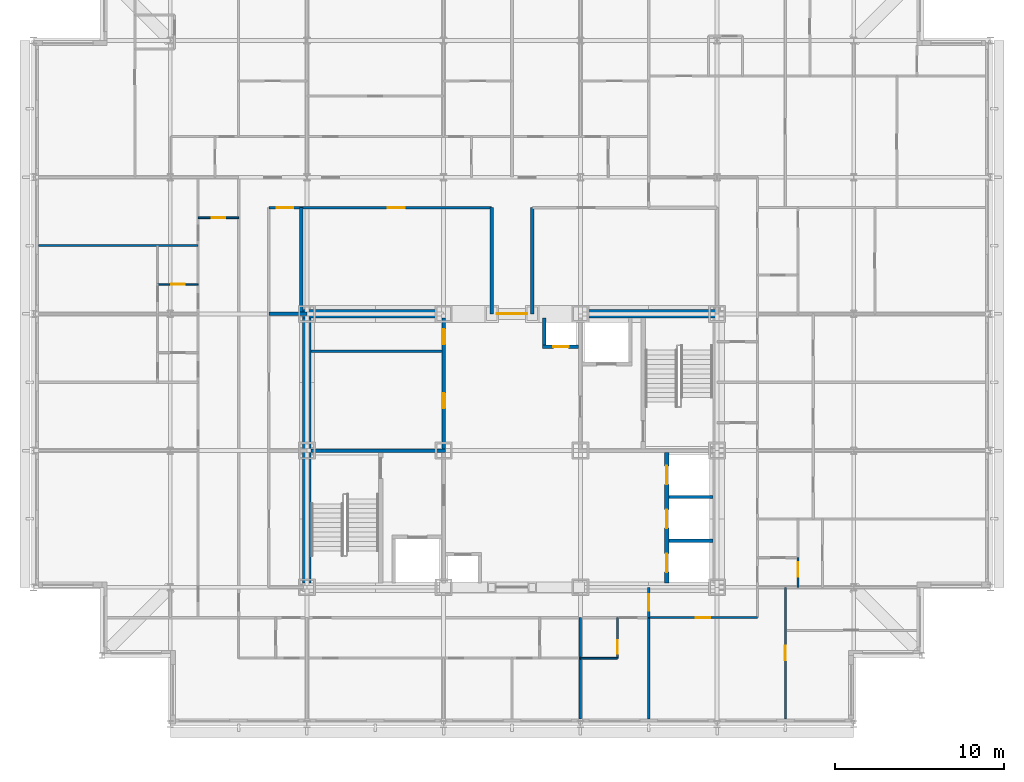
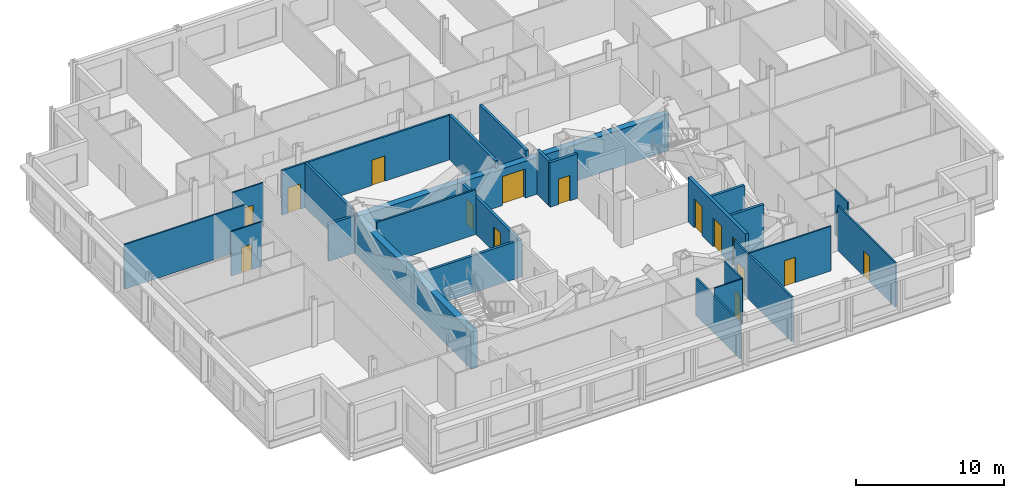
# One storey, part 9 of 15: 26 walls, 16 doors, 16 openings.
"""IFC4 building model written with IfcOpenShell, lengths in metres."""

from ifc_helpers import new_model, si_unit, direction, frame, frame_2d, origin, place, context, subcontext, project, spatial, rectangle, extrude, material, layer, layer_set, type_object, element, fill, save


model = new_model("IFC4")

# Units and contexts
model_context = context("Model", 3, precision=1e-05, world=origin(), true_north=direction((0.0, 1.0)))
body_context = subcontext(model_context, "Body", "Model", "MODEL_VIEW")
ifc_project = project(units=[si_unit("LENGTHUNIT", "METRE"), si_unit("AREAUNIT", "SQUARE_METRE"), si_unit("VOLUMEUNIT", "CUBIC_METRE"), si_unit("PLANEANGLEUNIT", "RADIAN"), si_unit("MASSUNIT", "GRAM", prefix="KILO")], contexts=[model_context])

# Site, building, storey
site_placement = place(None, origin())
site = spatial("IfcSite", under=ifc_project, at=site_placement, CompositionType="ELEMENT")
building_placement = place(site_placement, origin())
building = spatial("IfcBuilding", under=site, at=building_placement, Name="Kopane Lantern Tower", CompositionType="ELEMENT")
storey_placement = place(building_placement, frame((0.0, 0.0, 289.199951171875)))
storey = spatial("IfcBuildingStorey", under=building, at=storey_placement, Name="L74", CompositionType="ELEMENT", Elevation=289.199951171875)

# Wall
ifc_material_1 = material(Name="Gypsum board on steel studs", Category="steel")
ifc_layer_1 = layer(ifc_material_1, 0.1201171875)
ifc_layer_set_1 = layer_set([ifc_layer_1], Name="APARTMENT INTERNAL WALL 120")
wall_type_1 = type_object("IfcWallType", Name="APARTMENT INTERNAL WALL 120", PredefinedType="PARTITIONING", material=ifc_layer_set_1)
wall_1_placement = place(storey_placement, frame((9.75, 44.550048828125, 0.0), z_axis=(0.0, 0.0, 1.0), x_axis=(-1.0, 0.0, 0.0)))
element("IfcWall", 1, at=wall_1_placement, inside=storey, type_object=wall_type_1, Name="Apartment Internal Wall 120 L74", PredefinedType="PARTITIONING", context=body_context, shape_type="SweptSolid", body=[
    extrude(rectangle(XDim=9.449951171875, YDim=0.1201171875, at=frame_2d((4.72509765625, 0.0))), origin(), (0.0, 0.0, 1.0), 3.68994140625),
])

# Wall, opening, door
wall_2_placement = place(storey_placement, frame((36.449951171875, 22.5, 0.0), z_axis=(0.0, 0.0, 1.0), x_axis=(1.0, 0.0, 0.0)))
wall_2 = element("IfcWall", 2, at=wall_2_placement, inside=storey, type_object=wall_type_1, Name="Apartment Internal Wall 120 L74", PredefinedType="PARTITIONING", context=body_context, shape_type="SweptSolid", body=[
    extrude(rectangle(XDim=6.449951171875, YDim=0.1201171875, at=frame_2d((3.22509765625, 0.0))), origin(), (0.0, 0.0, 1.0), 3.68994140625),
])
opening_1_placement = place(wall_2_placement, frame((2.800048828125, 0.0, 0.0)))
opening_1 = element("IfcOpeningElement", 3, at=opening_1_placement, cuts=wall_2, Name="Opening L74-039", PredefinedType="OPENING", context=body_context, shape_type="SweptSolid", body=[
    extrude(rectangle(XDim=0.85009765625, YDim=2.10009765625, at=frame_2d((0.425048828125, 1.050048828125))), frame((0.0, 0.070068359375, 0.0), z_axis=(0.0, -1.0, 0.0), x_axis=(1.0, 0.0, 0.0)), (0.0, 0.0, 1.0), 0.14013671875),
])
ifc_material_2 = material(Name="Timber door set", Category="wood")
door_type_1 = type_object("IfcDoorType", Name="DOOR D4 850x2100", OperationType="SINGLE_SWING_LEFT", PredefinedType="DOOR", material=ifc_material_2)
door_1_placement = place(opening_1_placement, origin())
door_1 = element("IfcDoor", 4, at=door_1_placement, inside=storey, type_object=door_type_1, Name="Door L74-039", OperationType="SINGLE_SWING_RIGHT", OverallHeight=2.10009765625, OverallWidth=0.85009765625, PredefinedType="DOOR", context=body_context, shape_type="SweptSolid", body=[
    extrude(rectangle(XDim=0.85009765625, YDim=2.10009765625, at=frame_2d((0.425048828125, 1.050048828125))), frame((0.0, 0.02490234375, 0.0), z_axis=(0.0, -1.0, 0.0), x_axis=(1.0, 0.0, 0.0)), (0.0, 0.0, 1.0), 0.050048828125),
])
fill(opening_1, door_1)

wall_3_placement = place(storey_placement, frame((44.550048828125, 16.5, 0.0), z_axis=(0.0, 0.0, 1.0), x_axis=(0.0, 1.0, 0.0)))
wall_3 = element("IfcWall", 5, at=wall_3_placement, inside=storey, type_object=wall_type_1, Name="Apartment Internal Wall 120 L74", PredefinedType="PARTITIONING", context=body_context, shape_type="SweptSolid", body=[
    extrude(rectangle(XDim=7.800048828125, YDim=0.1201171875, at=frame_2d((3.89990234375, 0.0))), origin(), (0.0, 0.0, 1.0), 3.68994140625),
])
opening_2_placement = place(wall_3_placement, frame((3.47509765625, 0.0, 0.0)))
opening_2 = element("IfcOpeningElement", 6, at=opening_2_placement, cuts=wall_3, Name="Opening L74-040", PredefinedType="OPENING", context=body_context, shape_type="SweptSolid", body=[
    extrude(rectangle(XDim=0.85009765625, YDim=2.10009765625, at=frame_2d((0.425048828125, 1.050048828125))), frame((0.0, 0.070068359375, 0.0), z_axis=(0.0, -1.0, 0.0), x_axis=(1.0, 0.0, 0.0)), (0.0, 0.0, 1.0), 0.14013671875),
])
door_2_placement = place(opening_2_placement, origin())
door_2 = element("IfcDoor", 7, at=door_2_placement, inside=storey, type_object=door_type_1, Name="Door L74-040", OperationType="SINGLE_SWING_LEFT", OverallHeight=2.10009765625, OverallWidth=0.85009765625, PredefinedType="DOOR", context=body_context, shape_type="SweptSolid", body=[
    extrude(rectangle(XDim=0.85009765625, YDim=2.10009765625, at=frame_2d((0.425048828125, 1.050048828125))), frame((0.0, 0.02490234375, 0.0), z_axis=(0.0, -1.0, 0.0), x_axis=(1.0, 0.0, 0.0)), (0.0, 0.0, 1.0), 0.050048828125),
])
fill(opening_2, door_2)

wall_4_placement = place(storey_placement, frame((45.300048828125, 24.300048828125, 0.0), z_axis=(0.0, 0.0, 1.0), x_axis=(0.0, 1.0, 0.0)))
wall_4 = element("IfcWall", 8, at=wall_4_placement, inside=storey, type_object=wall_type_1, Name="Apartment Internal Wall 120 L74", PredefinedType="PARTITIONING", context=body_context, shape_type="SweptSolid", body=[
    extrude(rectangle(XDim=1.760009765625, YDim=0.1201171875, at=frame_2d((0.8798828125, 0.0))), origin(), (0.0, 0.0, 1.0), 3.68994140625),
])
opening_3_placement = place(wall_4_placement, frame((0.635009765625, 0.0, 0.0)))
opening_3 = element("IfcOpeningElement", 9, at=opening_3_placement, cuts=wall_4, Name="Opening L74-056", PredefinedType="OPENING", context=body_context, shape_type="SweptSolid", body=[
    extrude(rectangle(XDim=0.85009765625, YDim=2.10009765625, at=frame_2d((0.425048828125, 1.050048828125))), frame((0.0, 0.070068359375, 0.0), z_axis=(0.0, -1.0, 0.0), x_axis=(1.0, 0.0, 0.0)), (0.0, 0.0, 1.0), 0.14013671875),
])
door_3_placement = place(opening_3_placement, origin())
door_3 = element("IfcDoor", 10, at=door_3_placement, inside=storey, type_object=door_type_1, Name="Door L74-056", OperationType="SINGLE_SWING_RIGHT", OverallHeight=2.10009765625, OverallWidth=0.85009765625, PredefinedType="DOOR", context=body_context, shape_type="SweptSolid", body=[
    extrude(rectangle(XDim=0.85009765625, YDim=2.10009765625, at=frame_2d((0.425048828125, 1.050048828125))), frame((0.0, 0.02490234375, 0.0), z_axis=(0.0, -1.0, 0.0), x_axis=(1.0, 0.0, 0.0)), (0.0, 0.0, 1.0), 0.050048828125),
])
fill(opening_3, door_3)

# Wall
ifc_material_3 = material(Name="Moisture-resistant board on steel studs", Category="steel")
ifc_layer_2 = layer(ifc_material_3, 0.10009765625)
ifc_layer_set_2 = layer_set([ifc_layer_2], Name="BATHROOM WALL 100")
wall_type_2 = type_object("IfcWallType", Name="BATHROOM WALL 100", PredefinedType="PARTITIONING", material=ifc_layer_set_2)
wall_5_placement = place(storey_placement, frame((32.39990234375, 20.10009765625, 0.0), z_axis=(0.0, 0.0, 1.0), x_axis=(1.0, 0.0, 0.0)))
element("IfcWall", 11, at=wall_5_placement, inside=storey, type_object=wall_type_2, Name="Bathroom Wall 100 L74", PredefinedType="PARTITIONING", context=body_context, shape_type="SweptSolid", body=[
    extrude(rectangle(XDim=2.2001953125, YDim=0.10009765625, at=frame_2d((1.10009765625, 0.0))), origin(), (0.0, 0.0, 1.0), 3.68994140625),
])

# Wall, opening, door
wall_6_placement = place(storey_placement, frame((34.60009765625, 22.5, 0.0), z_axis=(0.0, 0.0, 1.0), x_axis=(0.0, -1.0, 0.0)))
wall_6 = element("IfcWall", 12, at=wall_6_placement, inside=storey, type_object=wall_type_2, Name="Bathroom Wall 100 L74", PredefinedType="PARTITIONING", context=body_context, shape_type="SweptSolid", body=[
    extrude(rectangle(XDim=2.39990234375, YDim=0.10009765625, at=frame_2d((1.199951171875, 0.0))), origin(), (0.0, 0.0, 1.0), 3.68994140625),
])
opening_4_placement = place(wall_6_placement, frame((1.35009765625, 0.0, 0.0)))
opening_4 = element("IfcOpeningElement", 13, at=opening_4_placement, cuts=wall_6, Name="Opening L74-011", PredefinedType="OPENING", context=body_context, shape_type="SweptSolid", body=[
    extrude(rectangle(XDim=0.800048828125, YDim=2.10009765625, at=frame_2d((0.39990234375, 1.050048828125))), frame((0.0, 0.06005859375, 0.0), z_axis=(0.0, -1.0, 0.0), x_axis=(1.0, 0.0, 0.0)), (0.0, 0.0, 1.0), 0.1201171875),
])
ifc_material_4 = material(Name="Timber door set", Category="wood")
door_type_2 = type_object("IfcDoorType", Name="DOOR D2 800x2100", OperationType="SINGLE_SWING_LEFT", PredefinedType="DOOR", material=ifc_material_4)
door_4_placement = place(opening_4_placement, origin())
door_4 = element("IfcDoor", 14, at=door_4_placement, inside=storey, type_object=door_type_2, Name="Door L74-011", OperationType="SINGLE_SWING_LEFT", OverallHeight=2.10009765625, OverallWidth=0.800048828125, PredefinedType="DOOR", context=body_context, shape_type="SweptSolid", body=[
    extrude(rectangle(XDim=0.800048828125, YDim=2.10009765625, at=frame_2d((0.39990234375, 1.050048828125))), frame((0.0, 0.02490234375, 0.0), z_axis=(0.0, -1.0, 0.0), x_axis=(1.0, 0.0, 0.0)), (0.0, 0.0, 1.0), 0.050048828125),
])
fill(opening_4, door_4)

wall_7_placement = place(storey_placement, frame((12.14990234375, 46.199951171875, 0.0), z_axis=(0.0, 0.0, 1.0), x_axis=(-1.0, 0.0, 0.0)))
wall_7 = element("IfcWall", 15, at=wall_7_placement, inside=storey, type_object=wall_type_2, Name="Bathroom Wall 100 L74", PredefinedType="PARTITIONING", context=body_context, shape_type="SweptSolid", body=[
    extrude(rectangle(XDim=2.39990234375, YDim=0.10009765625, at=frame_2d((1.199951171875, 0.0))), origin(), (0.0, 0.0, 1.0), 3.68994140625),
])
opening_5_placement = place(wall_7_placement, frame((0.800048828125, 0.0, 0.0)))
opening_5 = element("IfcOpeningElement", 16, at=opening_5_placement, cuts=wall_7, Name="Opening L74-021", PredefinedType="OPENING", context=body_context, shape_type="SweptSolid", body=[
    extrude(rectangle(XDim=0.800048828125, YDim=2.10009765625, at=frame_2d((0.39990234375, 1.050048828125))), frame((0.0, 0.06005859375, 0.0), z_axis=(0.0, -1.0, 0.0), x_axis=(1.0, 0.0, 0.0)), (0.0, 0.0, 1.0), 0.1201171875),
])
door_5_placement = place(opening_5_placement, origin())
door_5 = element("IfcDoor", 17, at=door_5_placement, inside=storey, type_object=door_type_2, Name="Door L74-021", OperationType="SINGLE_SWING_RIGHT", OverallHeight=2.10009765625, OverallWidth=0.800048828125, PredefinedType="DOOR", context=body_context, shape_type="SweptSolid", body=[
    extrude(rectangle(XDim=0.800048828125, YDim=2.10009765625, at=frame_2d((0.39990234375, 1.050048828125))), frame((0.0, 0.02490234375, 0.0), z_axis=(0.0, -1.0, 0.0), x_axis=(1.0, 0.0, 0.0)), (0.0, 0.0, 1.0), 0.050048828125),
])
fill(opening_5, door_5)

wall_8_placement = place(storey_placement, frame((9.75, 42.25, 0.0), z_axis=(0.0, 0.0, 1.0), x_axis=(-1.0, 0.0, 0.0)))
wall_8 = element("IfcWall", 18, at=wall_8_placement, inside=storey, type_object=wall_type_2, Name="Bathroom Wall 100 L74", PredefinedType="PARTITIONING", context=body_context, shape_type="SweptSolid", body=[
    extrude(rectangle(XDim=2.39990234375, YDim=0.10009765625, at=frame_2d((1.199951171875, 0.0))), origin(), (0.0, 0.0, 1.0), 3.68994140625),
])
opening_6_placement = place(wall_8_placement, frame((0.800048828125, 0.0, 0.0)))
opening_6 = element("IfcOpeningElement", 19, at=opening_6_placement, cuts=wall_8, Name="Opening L74-027", PredefinedType="OPENING", context=body_context, shape_type="SweptSolid", body=[
    extrude(rectangle(XDim=0.800048828125, YDim=2.10009765625, at=frame_2d((0.39990234375, 1.050048828125))), frame((0.0, 0.06005859375, 0.0), z_axis=(0.0, -1.0, 0.0), x_axis=(1.0, 0.0, 0.0)), (0.0, 0.0, 1.0), 0.1201171875),
])
door_6_placement = place(opening_6_placement, origin())
door_6 = element("IfcDoor", 20, at=door_6_placement, inside=storey, type_object=door_type_2, Name="Door L74-027", OperationType="SINGLE_SWING_RIGHT", OverallHeight=2.10009765625, OverallWidth=0.800048828125, PredefinedType="DOOR", context=body_context, shape_type="SweptSolid", body=[
    extrude(rectangle(XDim=0.800048828125, YDim=2.10009765625, at=frame_2d((0.39990234375, 1.050048828125))), frame((0.0, 0.02490234375, 0.0), z_axis=(0.0, -1.0, 0.0), x_axis=(1.0, 0.0, 0.0)), (0.0, 0.0, 1.0), 0.050048828125),
])
fill(opening_6, door_6)

ifc_material_5 = material(Name="Gypsum shaft wall EI 120", Category="gypsum")
ifc_layer_3 = layer(ifc_material_5, 0.5)
ifc_layer_set_3 = layer_set([ifc_layer_3], Name="CORE PERIMETER WALL 500 EI 120")
wall_type_3 = type_object("IfcWallType", Name="CORE PERIMETER WALL 500 EI 120", PredefinedType="SOLIDWALL", material=ifc_layer_set_3)
wall_9_placement = place(storey_placement, frame((15.949951171875, 40.5, 0.0), z_axis=(0.0, 0.0, 1.0), x_axis=(1.0, 0.0, 0.0)))
wall_9 = element("IfcWall", 21, at=wall_9_placement, inside=storey, type_object=wall_type_3, Name="Core shaft wall L74 PN", PredefinedType="SOLIDWALL", context=body_context, shape_type="SweptSolid", body=[
    extrude(rectangle(XDim=24.550048828125, YDim=0.5, at=frame_2d((12.27490234375, 0.0))), origin(), (0.0, 0.0, 1.0), 3.0400390625),
])
opening_7_placement = place(wall_9_placement, frame((11.5, 0.0, 0.0)))
opening_7 = element("IfcOpeningElement", 22, at=opening_7_placement, cuts=wall_9, Name="Opening 74.CE-N", PredefinedType="OPENING", context=body_context, shape_type="SweptSolid", body=[
    extrude(rectangle(XDim=1.800048828125, YDim=2.39990234375, at=frame_2d((0.89990234375, 1.199951171875))), frame((0.0, 0.260009765625, 0.0), z_axis=(0.0, -1.0, 0.0), x_axis=(1.0, 0.0, 0.0)), (0.0, 0.0, 1.0), 0.52001953125),
])
ifc_material_6 = material(Name="Steel door set", Category="steel")
door_type_3 = type_object("IfcDoorType", Name="CORE ENTRY DOOR 1800x2400 FD60S", OperationType="DOUBLE_DOOR_SINGLE_SWING", PredefinedType="DOOR", material=ifc_material_6)
door_7_placement = place(opening_7_placement, origin())
door_7 = element("IfcDoor", 23, at=door_7_placement, inside=storey, type_object=door_type_3, Name="Core entry door L74 north", OperationType="DOUBLE_DOOR_SINGLE_SWING", OverallHeight=2.39990234375, OverallWidth=1.800048828125, PredefinedType="DOOR", context=body_context, shape_type="SweptSolid", body=[
    extrude(rectangle(XDim=1.800048828125, YDim=2.39990234375, at=frame_2d((0.89990234375, 1.199951171875))), frame((0.0, 0.02490234375, 0.0), z_axis=(0.0, -1.0, 0.0), x_axis=(1.0, 0.0, 0.0)), (0.0, 0.0, 1.0), 0.050048828125),
])
fill(opening_7, door_7)

# Walls
wall_10_placement = place(storey_placement, frame((16.199951171875, 24.550048828125, 0.0), z_axis=(0.0, 0.0, 1.0), x_axis=(0.0, 1.0, 0.0)))
element("IfcWall", 24, at=wall_10_placement, inside=storey, type_object=wall_type_3, Name="Core shaft wall L74 PW", PredefinedType="SOLIDWALL", context=body_context, shape_type="SweptSolid", body=[
    extrude(rectangle(XDim=15.699951171875, YDim=0.5, at=frame_2d((7.85009765625, 0.0))), origin(), (0.0, 0.0, 1.0), 3.077880859375),
])
ifc_material_7 = material(Name="Gypsum partition EI 60", Category="gypsum")
ifc_layer_4 = layer(ifc_material_7, 0.14990234375)
ifc_layer_set_4 = layer_set([ifc_layer_4], Name="CORE ROOM PARTITION 150 EI 60")
wall_type_4 = type_object("IfcWallType", Name="CORE ROOM PARTITION 150 EI 60", PredefinedType="PARTITIONING", material=ifc_layer_set_4)
wall_11_placement = place(storey_placement, frame((16.449951171875, 38.27490234375, 0.0), z_axis=(0.0, 0.0, 1.0), x_axis=(1.0, 0.0, 0.0)))
element("IfcWall", 25, at=wall_11_placement, inside=storey, type_object=wall_type_4, Name="Core room partition L74 WW1", PredefinedType="PARTITIONING", context=body_context, shape_type="SweptSolid", body=[
    extrude(rectangle(XDim=7.75, YDim=0.14990234375, at=frame_2d((3.875, 0.0))), origin(), (0.0, 0.0, 1.0), 3.68994140625),
])

# Wall, openings, doors
ifc_material_8 = material(Name="Gypsum partition EI 60", Category="gypsum")
ifc_layer_5 = layer(ifc_material_8, 0.199951171875)
ifc_layer_set_5 = layer_set([ifc_layer_5], Name="CORE ROOM WALL 200 EI 60")
wall_type_5 = type_object("IfcWallType", Name="CORE ROOM WALL 200 EI 60", PredefinedType="PARTITIONING", material=ifc_layer_set_5)
wall_12_placement = place(storey_placement, frame((24.300048828125, 32.5, 0.0), z_axis=(0.0, 0.0, 1.0), x_axis=(0.0, 1.0, 0.0)))
wall_12 = element("IfcWall", 26, at=wall_12_placement, inside=storey, type_object=wall_type_5, Name="Core room wall L74 XW", PredefinedType="PARTITIONING", context=body_context, shape_type="SweptSolid", body=[
    extrude(rectangle(XDim=7.75, YDim=0.199951171875, at=frame_2d((3.875, 0.0))), origin(), (0.0, 0.0, 1.0), 3.077880859375),
])
opening_8_placement = place(wall_12_placement, frame((2.39990234375, 0.0, 0.0)))
opening_8 = element("IfcOpeningElement", 27, at=opening_8_placement, cuts=wall_12, Name="Opening 74.C30", PredefinedType="OPENING", context=body_context, shape_type="SweptSolid", body=[
    extrude(rectangle(XDim=0.89990234375, YDim=2.10009765625, at=frame_2d((0.449951171875, 1.050048828125))), frame((0.0, 0.10986328125, 0.0), z_axis=(0.0, -1.0, 0.0), x_axis=(1.0, 0.0, 0.0)), (0.0, 0.0, 1.0), 0.219970703125),
])
opening_9_placement = place(wall_12_placement, frame((6.199951171875, 0.0, 0.0)))
opening_9 = element("IfcOpeningElement", 28, at=opening_9_placement, cuts=wall_12, Name="Opening 74.C31", PredefinedType="OPENING", context=body_context, shape_type="SweptSolid", body=[
    extrude(rectangle(XDim=0.89990234375, YDim=2.10009765625, at=frame_2d((0.449951171875, 1.050048828125))), frame((0.0, 0.10986328125, 0.0), z_axis=(0.0, -1.0, 0.0), x_axis=(1.0, 0.0, 0.0)), (0.0, 0.0, 1.0), 0.219970703125),
])
ifc_material_9 = material(Name="Steel door set", Category="steel")
door_type_4 = type_object("IfcDoorType", Name="CORE ROOM DOOR 900x2100 FD60", OperationType="SINGLE_SWING_LEFT", PredefinedType="DOOR", material=ifc_material_9)
door_8_placement = place(opening_8_placement, origin())
door_8 = element("IfcDoor", 29, at=door_8_placement, inside=storey, type_object=door_type_4, Name="Door Residents storage L74", OperationType="SINGLE_SWING_LEFT", OverallHeight=2.10009765625, OverallWidth=0.89990234375, PredefinedType="DOOR", context=body_context, shape_type="SweptSolid", body=[
    extrude(rectangle(XDim=0.89990234375, YDim=2.10009765625, at=frame_2d((0.449951171875, 1.050048828125))), frame((0.0, 0.02490234375, 0.0), z_axis=(0.0, -1.0, 0.0), x_axis=(1.0, 0.0, 0.0)), (0.0, 0.0, 1.0), 0.050048828125),
])
fill(opening_8, door_8)
door_9_placement = place(opening_9_placement, origin())
door_9 = element("IfcDoor", 30, at=door_9_placement, inside=storey, type_object=door_type_4, Name="Door Refuse room L74", OperationType="SINGLE_SWING_LEFT", OverallHeight=2.10009765625, OverallWidth=0.89990234375, PredefinedType="DOOR", context=body_context, shape_type="SweptSolid", body=[
    extrude(rectangle(XDim=0.89990234375, YDim=2.10009765625, at=frame_2d((0.449951171875, 1.050048828125))), frame((0.0, 0.02490234375, 0.0), z_axis=(0.0, -1.0, 0.0), x_axis=(1.0, 0.0, 0.0)), (0.0, 0.0, 1.0), 0.050048828125),
])
fill(opening_9, door_9)

ifc_material_10 = material(Name="Gypsum shaft wall EI 120", Category="gypsum")
ifc_layer_6 = layer(ifc_material_10, 0.25)
ifc_layer_set_6 = layer_set([ifc_layer_6], Name="CORE SHAFT WALL 250 EI 120")
wall_type_6 = type_object("IfcWallType", Name="CORE SHAFT WALL 250 EI 120", PredefinedType="SOLIDWALL", material=ifc_layer_set_6)
wall_13_placement = place(storey_placement, frame((37.52490234375, 24.550048828125, 0.0), z_axis=(0.0, 0.0, 1.0), x_axis=(0.0, 1.0, 0.0)))
wall_13 = element("IfcWall", 31, at=wall_13_placement, inside=storey, type_object=wall_type_6, Name="Core shaft wall L74 XLR", PredefinedType="SOLIDWALL", context=body_context, shape_type="SweptSolid", body=[
    extrude(rectangle(XDim=7.75, YDim=0.25, at=frame_2d((3.875, 0.0))), origin(), (0.0, 0.0, 1.0), 3.68994140625),
])
opening_10_placement = place(wall_13_placement, frame((0.64990234375, 0.0, 0.0)))
opening_10 = element("IfcOpeningElement", 32, at=opening_10_placement, cuts=wall_13, Name="Opening 74.LD-LR1", PredefinedType="OPENING", context=body_context, shape_type="SweptSolid", body=[
    extrude(rectangle(XDim=1.10009765625, YDim=2.39990234375, at=frame_2d((0.550048828125, 1.199951171875))), frame((0.0, 0.135009765625, 0.0), z_axis=(0.0, -1.0, 0.0), x_axis=(1.0, 0.0, 0.0)), (0.0, 0.0, 1.0), 0.27001953125),
])
opening_11_placement = place(wall_13_placement, frame((3.25, 0.0, 0.0)))
opening_11 = element("IfcOpeningElement", 33, at=opening_11_placement, cuts=wall_13, Name="Opening 74.LD-LR2", PredefinedType="OPENING", context=body_context, shape_type="SweptSolid", body=[
    extrude(rectangle(XDim=1.10009765625, YDim=2.39990234375, at=frame_2d((0.550048828125, 1.199951171875))), frame((0.0, 0.135009765625, 0.0), z_axis=(0.0, -1.0, 0.0), x_axis=(1.0, 0.0, 0.0)), (0.0, 0.0, 1.0), 0.27001953125),
])
opening_12_placement = place(wall_13_placement, frame((5.85009765625, 0.0, 0.0)))
opening_12 = element("IfcOpeningElement", 34, at=opening_12_placement, cuts=wall_13, Name="Opening 74.LD-LR3", PredefinedType="OPENING", context=body_context, shape_type="SweptSolid", body=[
    extrude(rectangle(XDim=1.10009765625, YDim=2.39990234375, at=frame_2d((0.550048828125, 1.199951171875))), frame((0.0, 0.135009765625, 0.0), z_axis=(0.0, -1.0, 0.0), x_axis=(1.0, 0.0, 0.0)), (0.0, 0.0, 1.0), 0.27001953125),
])
ifc_material_11 = material(Name="Steel door set", Category="steel")
door_type_5 = type_object("IfcDoorType", Name="LIFT LANDING DOOR 1100x2400 FD60", OperationType="DOUBLE_DOOR_SLIDING", PredefinedType="DOOR", material=ifc_material_11)
door_10_placement = place(opening_10_placement, origin())
door_10 = element("IfcDoor", 35, at=door_10_placement, inside=storey, type_object=door_type_5, Name="Landing door LR1 L74", OperationType="DOUBLE_DOOR_SLIDING", OverallHeight=2.39990234375, OverallWidth=1.10009765625, PredefinedType="DOOR", context=body_context, shape_type="SweptSolid", body=[
    extrude(rectangle(XDim=1.10009765625, YDim=2.39990234375, at=frame_2d((0.550048828125, 1.199951171875))), frame((0.0, 0.02490234375, 0.0), z_axis=(0.0, -1.0, 0.0), x_axis=(1.0, 0.0, 0.0)), (0.0, 0.0, 1.0), 0.050048828125),
])
fill(opening_10, door_10)
door_11_placement = place(opening_11_placement, origin())
door_11 = element("IfcDoor", 36, at=door_11_placement, inside=storey, type_object=door_type_5, Name="Landing door LR2 L74", OperationType="DOUBLE_DOOR_SLIDING", OverallHeight=2.39990234375, OverallWidth=1.10009765625, PredefinedType="DOOR", context=body_context, shape_type="SweptSolid", body=[
    extrude(rectangle(XDim=1.10009765625, YDim=2.39990234375, at=frame_2d((0.550048828125, 1.199951171875))), frame((0.0, 0.02490234375, 0.0), z_axis=(0.0, -1.0, 0.0), x_axis=(1.0, 0.0, 0.0)), (0.0, 0.0, 1.0), 0.050048828125),
])
fill(opening_11, door_11)
door_12_placement = place(opening_12_placement, origin())
door_12 = element("IfcDoor", 37, at=door_12_placement, inside=storey, type_object=door_type_5, Name="Landing door LR3 L74", OperationType="DOUBLE_DOOR_SLIDING", OverallHeight=2.39990234375, OverallWidth=1.10009765625, PredefinedType="DOOR", context=body_context, shape_type="SweptSolid", body=[
    extrude(rectangle(XDim=1.10009765625, YDim=2.39990234375, at=frame_2d((0.550048828125, 1.199951171875))), frame((0.0, 0.02490234375, 0.0), z_axis=(0.0, -1.0, 0.0), x_axis=(1.0, 0.0, 0.0)), (0.0, 0.0, 1.0), 0.050048828125),
])
fill(opening_12, door_12)

ifc_material_12 = material(Name="Gypsum board on steel studs", Category="steel")
ifc_layer_7 = layer(ifc_material_12, 0.14990234375)
ifc_layer_set_7 = layer_set([ifc_layer_7], Name="CORRIDOR WALL 150 EI 60")
wall_type_7 = type_object("IfcWallType", Name="CORRIDOR WALL 150 EI 60", PredefinedType="PARTITIONING", material=ifc_layer_set_7)
wall_14_placement = place(storey_placement, frame((13.949951171875, 46.800048828125, 0.0), z_axis=(0.0, 0.0, 1.0), x_axis=(1.0, 0.0, 0.0)))
wall_14 = element("IfcWall", 38, at=wall_14_placement, inside=storey, type_object=wall_type_7, Name="Corridor Wall 150 Ei 60 L74", PredefinedType="PARTITIONING", context=body_context, shape_type="SweptSolid", body=[
    extrude(rectangle(XDim=13.18994140625, YDim=0.14990234375, at=frame_2d((6.594970703125, 0.0))), origin(), (0.0, 0.0, 1.0), 3.68994140625),
])
opening_13_placement = place(wall_14_placement, frame((0.452392578125, 0.0, 0.0)))
opening_13 = element("IfcOpeningElement", 39, at=opening_13_placement, cuts=wall_14, Name="Opening L74-003", PredefinedType="OPENING", context=body_context, shape_type="SweptSolid", body=[
    extrude(rectangle(XDim=1.0, YDim=2.10009765625, at=frame_2d((0.5, 1.050048828125))), frame((0.0, 0.0849609375, 0.0), z_axis=(0.0, -1.0, 0.0), x_axis=(1.0, 0.0, 0.0)), (0.0, 0.0, 1.0), 0.169921875),
])
opening_14_placement = place(wall_14_placement, frame((7.052490234375, 0.0, 0.0)))
opening_14 = element("IfcOpeningElement", 40, at=opening_14_placement, cuts=wall_14, Name="Opening L74-004", PredefinedType="OPENING", context=body_context, shape_type="SweptSolid", body=[
    extrude(rectangle(XDim=1.0, YDim=2.10009765625, at=frame_2d((0.5, 1.050048828125))), frame((0.0, 0.0849609375, 0.0), z_axis=(0.0, -1.0, 0.0), x_axis=(1.0, 0.0, 0.0)), (0.0, 0.0, 1.0), 0.169921875),
])
ifc_material_13 = material(Name="Steel door set", Category="steel")
door_type_6 = type_object("IfcDoorType", Name="DOOR D5 1000x2100 FD60", OperationType="SINGLE_SWING_LEFT", PredefinedType="DOOR", material=ifc_material_13)
door_13_placement = place(opening_13_placement, origin())
door_13 = element("IfcDoor", 41, at=door_13_placement, inside=storey, type_object=door_type_6, Name="Door L74-003", OperationType="SINGLE_SWING_RIGHT", OverallHeight=2.10009765625, OverallWidth=1.0, PredefinedType="DOOR", context=body_context, shape_type="SweptSolid", body=[
    extrude(rectangle(XDim=1.0, YDim=2.10009765625, at=frame_2d((0.5, 1.050048828125))), frame((0.0, 0.02490234375, 0.0), z_axis=(0.0, -1.0, 0.0), x_axis=(1.0, 0.0, 0.0)), (0.0, 0.0, 1.0), 0.050048828125),
])
fill(opening_13, door_13)
door_14_placement = place(opening_14_placement, origin())
door_14 = element("IfcDoor", 42, at=door_14_placement, inside=storey, type_object=door_type_6, Name="Door L74-004", OperationType="SINGLE_SWING_LEFT", OverallHeight=2.10009765625, OverallWidth=1.0, PredefinedType="DOOR", context=body_context, shape_type="SweptSolid", body=[
    extrude(rectangle(XDim=1.0, YDim=2.10009765625, at=frame_2d((0.5, 1.050048828125))), frame((0.0, 0.02490234375, 0.0), z_axis=(0.0, -1.0, 0.0), x_axis=(1.0, 0.0, 0.0)), (0.0, 0.0, 1.0), 0.050048828125),
])
fill(opening_14, door_14)

# Wall, opening, door
wall_15_placement = place(storey_placement, frame((36.449951171875, 22.5, 0.0), z_axis=(0.0, 0.0, 1.0), x_axis=(0.0, 1.0, 0.0)))
wall_15 = element("IfcWall", 43, at=wall_15_placement, inside=storey, type_object=wall_type_7, Name="Corridor Wall 150 Ei 60 L74", PredefinedType="PARTITIONING", context=body_context, shape_type="SweptSolid", body=[
    extrude(rectangle(XDim=1.800048828125, YDim=0.14990234375, at=frame_2d((0.89990234375, 0.0))), origin(), (0.0, 0.0, 1.0), 3.68994140625),
])
opening_15_placement = place(wall_15_placement, frame((0.39990234375, 0.0, 0.0)))
opening_15 = element("IfcOpeningElement", 44, at=opening_15_placement, cuts=wall_15, Name="Opening L74-037", PredefinedType="OPENING", context=body_context, shape_type="SweptSolid", body=[
    extrude(rectangle(XDim=1.0, YDim=2.10009765625, at=frame_2d((0.5, 1.050048828125))), frame((0.0, 0.0849609375, 0.0), z_axis=(0.0, -1.0, 0.0), x_axis=(1.0, 0.0, 0.0)), (0.0, 0.0, 1.0), 0.169921875),
])
ifc_material_14 = material(Name="Steel door set", Category="steel")
door_type_7 = type_object("IfcDoorType", Name="DOOR D3 1000x2100 FD30S", OperationType="SINGLE_SWING_LEFT", PredefinedType="DOOR", material=ifc_material_14)
door_15_placement = place(opening_15_placement, origin())
door_15 = element("IfcDoor", 45, at=door_15_placement, inside=storey, type_object=door_type_7, Name="Door L74-037", OperationType="SINGLE_SWING_RIGHT", OverallHeight=2.10009765625, OverallWidth=1.0, PredefinedType="DOOR", context=body_context, shape_type="SweptSolid", body=[
    extrude(rectangle(XDim=1.0, YDim=2.10009765625, at=frame_2d((0.5, 1.050048828125))), frame((0.0, 0.02490234375, 0.0), z_axis=(0.0, -1.0, 0.0), x_axis=(1.0, 0.0, 0.0)), (0.0, 0.0, 1.0), 0.050048828125),
])
fill(opening_15, door_15)

# Walls
ifc_material_15 = material(Name="Gypsum board on steel studs", Category="steel")
ifc_layer_8 = layer(ifc_material_15, 0.14990234375)
ifc_layer_set_8 = layer_set([ifc_layer_8], Name="DEMISING WALL 150 EI 60")
wall_type_8 = type_object("IfcWallType", Name="DEMISING WALL 150 EI 60", PredefinedType="PARTITIONING", material=ifc_layer_set_8)
wall_16_placement = place(storey_placement, frame((32.39990234375, 22.5, 0.0), z_axis=(0.0, 0.0, 1.0), x_axis=(0.0, -1.0, 0.0)))
element("IfcWall", 46, at=wall_16_placement, inside=storey, type_object=wall_type_8, Name="Demising Wall 150 Ei 60 L74", PredefinedType="PARTITIONING", context=body_context, shape_type="SweptSolid", body=[
    extrude(rectangle(XDim=6.0, YDim=0.14990234375, at=frame_2d((3.0, 0.0))), origin(), (0.0, 0.0, 1.0), 3.077880859375),
])
wall_17_placement = place(storey_placement, frame((36.449951171875, 16.5, 0.0), z_axis=(0.0, 0.0, 1.0), x_axis=(0.0, 1.0, 0.0)))
element("IfcWall", 47, at=wall_17_placement, inside=storey, type_object=wall_type_8, Name="Demising Wall 150 Ei 60 L74", PredefinedType="PARTITIONING", context=body_context, shape_type="SweptSolid", body=[
    extrude(rectangle(XDim=6.0, YDim=0.14990234375, at=frame_2d((3.0, 0.0))), origin(), (0.0, 0.0, 1.0), 3.68994140625),
])
ifc_material_16 = material(Name="Concrete masonry", Category="masonry")
ifc_layer_9 = layer(ifc_material_16, 0.199951171875)
ifc_layer_set_9 = layer_set([ifc_layer_9], Name="PLANT ROOM WALL 200 EI 120")
wall_type_9 = type_object("IfcWallType", Name="PLANT ROOM WALL 200 EI 120", PredefinedType="SOLIDWALL", material=ifc_layer_set_9)
for number, where, z_axis, x_axis, name in (
    (48, (15.854736328125, 46.800048828125, 0.0), (0.0, 0.0, 1.0), (0.0, -1.0, 0.0), "Plant Room Wall 200 Ei 120 L74"),
    (49, (27.14990234375, 40.5, 0.0), (0.0, 0.0, 1.0), (0.0, 1.0, 0.0), "Plant Room Wall 200 Ei 120 L74"),
    (50, (29.550048828125, 40.5, 0.0), (0.0, 0.0, 1.0), (0.0, 1.0, 0.0), "Plant Room Wall 200 Ei 120 L74"),
):
    element("IfcWall", number, at=place(storey_placement, frame(where, z_axis=z_axis, x_axis=x_axis)), inside=storey, type_object=wall_type_9, Name=name, PredefinedType="SOLIDWALL", context=body_context, shape_type="SweptSolid", body=[
        extrude(rectangle(XDim=6.300048828125, YDim=0.199951171875, at=frame_2d((3.14990234375, 0.0))), origin(), (0.0, 0.0, 1.0), 3.68994140625),
    ])
wall_18_placement = place(storey_placement, frame((13.949951171875, 40.5, 0.0), z_axis=(0.0, 0.0, 1.0), x_axis=(1.0, 0.0, 0.0)))
element("IfcWall", 51, at=wall_18_placement, inside=storey, type_object=wall_type_9, Name="Plant Room Wall 200 Ei 120 L74", PredefinedType="SOLIDWALL", context=body_context, shape_type="SweptSolid", body=[
    extrude(rectangle(XDim=2.25, YDim=0.199951171875, at=frame_2d((1.125, 0.0))), origin(), (0.0, 0.0, 1.0), 3.077880859375),
])
ifc_material_17 = material(Name="Gypsum shaft wall EI 120", Category="gypsum")
ifc_layer_10 = layer(ifc_material_17, 0.199951171875)
ifc_layer_set_10 = layer_set([ifc_layer_10], Name="SHAFT WALL 200 EI 120")
wall_type_10 = type_object("IfcWallType", Name="SHAFT WALL 200 EI 120", PredefinedType="SOLIDWALL", material=ifc_layer_set_10)
wall_19_placement = place(storey_placement, frame((16.449951171875, 32.39990234375, 0.0), z_axis=(0.0, 0.0, 1.0), x_axis=(1.0, 0.0, 0.0)))
element("IfcWall", 52, at=wall_19_placement, inside=storey, type_object=wall_type_10, Name="Core shaft wall L74 Y324W", PredefinedType="SOLIDWALL", context=body_context, shape_type="SweptSolid", body=[
    extrude(rectangle(XDim=7.949951171875, YDim=0.199951171875, at=frame_2d((3.97509765625, 0.0))), origin(), (0.0, 0.0, 1.0), 3.077880859375),
])
for number, where, z_axis, x_axis, name in (
    (53, (37.64990234375, 27.050048828125, 0.0), (0.0, 0.0, 1.0), (1.0, 0.0, 0.0), "Core shaft wall L74 YLR12"),
    (54, (37.64990234375, 29.64990234375, 0.0), (0.0, 0.0, 1.0), (1.0, 0.0, 0.0), "Core shaft wall L74 YLR23"),
):
    element("IfcWall", number, at=place(storey_placement, frame(where, z_axis=z_axis, x_axis=x_axis)), inside=storey, type_object=wall_type_10, Name=name, PredefinedType="SOLIDWALL", context=body_context, shape_type="SweptSolid", body=[
        extrude(rectangle(XDim=2.60009765625, YDim=0.199951171875, at=frame_2d((1.300048828125, 0.0))), origin(), (0.0, 0.0, 1.0), 3.68994140625),
    ])
wall_20_placement = place(storey_placement, frame((30.25, 38.64990234375, 0.0), z_axis=(0.0, 0.0, 1.0), x_axis=(0.0, 1.0, 0.0)))
element("IfcWall", 55, at=wall_20_placement, inside=storey, type_object=wall_type_10, Name="Core shaft wall L74 XRS2", PredefinedType="SOLIDWALL", context=body_context, shape_type="SweptSolid", body=[
    extrude(rectangle(XDim=1.60009765625, YDim=0.199951171875, at=frame_2d((0.800048828125, 0.0))), origin(), (0.0, 0.0, 1.0), 3.68994140625),
])

# Wall, opening, door
wall_21_placement = place(storey_placement, frame((30.14990234375, 38.550048828125, 0.0), z_axis=(0.0, 0.0, 1.0), x_axis=(1.0, 0.0, 0.0)))
wall_21 = element("IfcWall", 56, at=wall_21_placement, inside=storey, type_object=wall_type_10, Name="Core shaft wall L74 YRS2", PredefinedType="SOLIDWALL", context=body_context, shape_type="SweptSolid", body=[
    extrude(rectangle(XDim=2.150146484375, YDim=0.199951171875, at=frame_2d((1.0751953125, 0.0))), origin(), (0.0, 0.0, 1.0), 3.68994140625),
])
opening_16_placement = place(wall_21_placement, frame((0.64990234375, 0.0, 0.0)))
opening_16 = element("IfcOpeningElement", 57, at=opening_16_placement, cuts=wall_21, Name="Opening 74.RS2", PredefinedType="OPENING", context=body_context, shape_type="SweptSolid", body=[
    extrude(rectangle(XDim=0.89990234375, YDim=2.10009765625, at=frame_2d((0.449951171875, 1.050048828125))), frame((0.0, 0.10986328125, 0.0), z_axis=(0.0, -1.0, 0.0), x_axis=(1.0, 0.0, 0.0)), (0.0, 0.0, 1.0), 0.219970703125),
])
ifc_material_18 = material(Name="Steel door set", Category="steel")
door_type_8 = type_object("IfcDoorType", Name="RISER ACCESS DOOR 900x2100 FD60", OperationType="SINGLE_SWING_LEFT", PredefinedType="DOOR", material=ifc_material_18)
door_16_placement = place(opening_16_placement, origin())
door_16 = element("IfcDoor", 58, at=door_16_placement, inside=storey, type_object=door_type_8, Name="Riser access door RS2 L74", OperationType="SINGLE_SWING_LEFT", OverallHeight=2.10009765625, OverallWidth=0.89990234375, PredefinedType="DOOR", context=body_context, shape_type="SweptSolid", body=[
    extrude(rectangle(XDim=0.89990234375, YDim=2.10009765625, at=frame_2d((0.449951171875, 1.050048828125))), frame((0.0, 0.02490234375, 0.0), z_axis=(0.0, -1.0, 0.0), x_axis=(1.0, 0.0, 0.0)), (0.0, 0.0, 1.0), 0.050048828125),
])
fill(opening_16, door_16)

save(model, "model.ifc")
